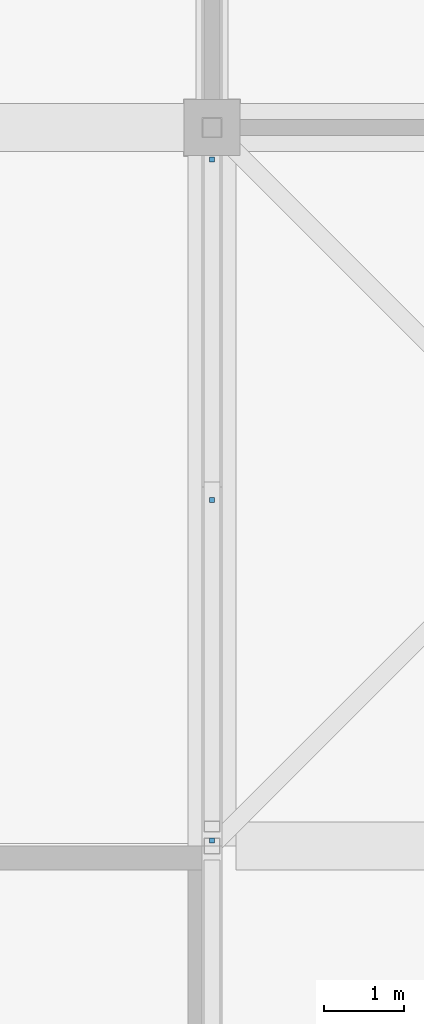
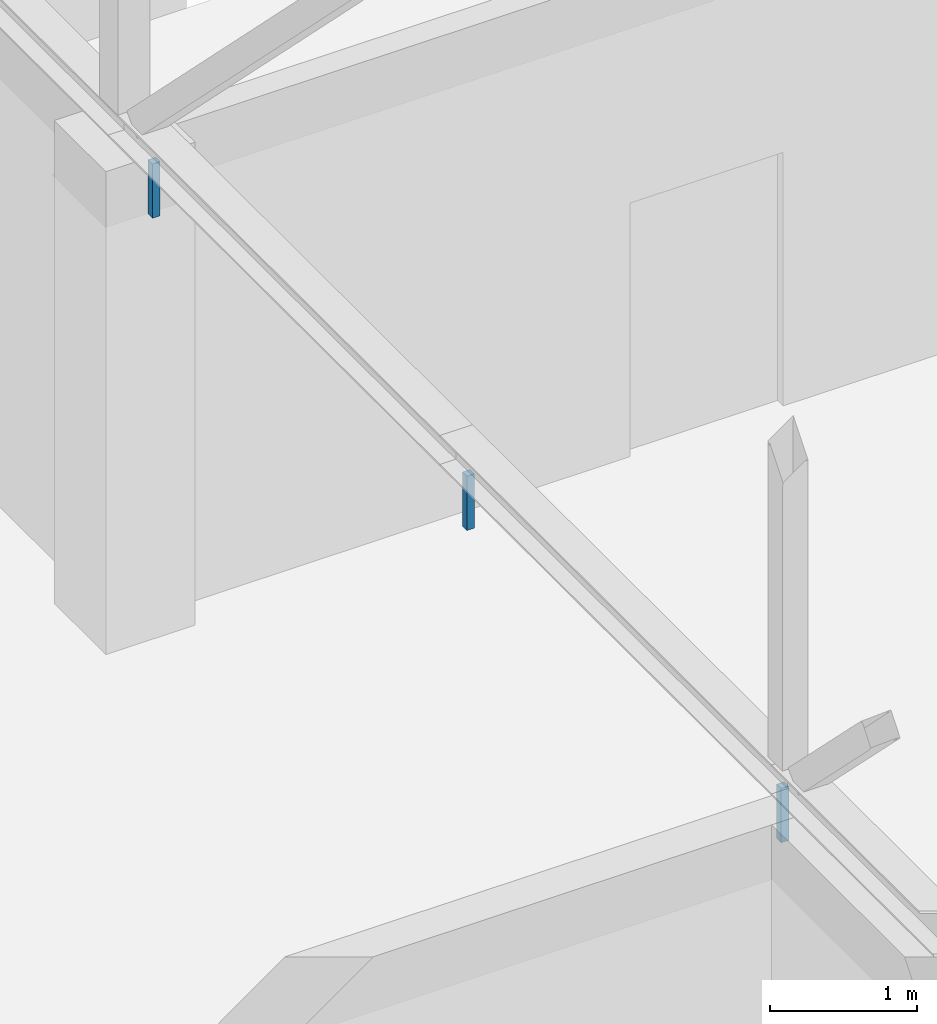
# One storey, part 187 of 646: 3 discrete accessories.
"""IFC4 building model written with IfcOpenShell, lengths in metres."""

from ifc_helpers import new_model, si_unit, direction, frame, origin, origin_2d, place, context, subcontext, project, spatial, rectangle, extrude, material, type_object, element, save


model = new_model("IFC4")

# Units and contexts
model_context = context("Model", 3, precision=1e-05, world=origin(), true_north=direction((0.0, 1.0)))
body_context = subcontext(model_context, "Body", "Model", "MODEL_VIEW")
ifc_project = project(units=[si_unit("LENGTHUNIT", "METRE"), si_unit("AREAUNIT", "SQUARE_METRE"), si_unit("VOLUMEUNIT", "CUBIC_METRE"), si_unit("PLANEANGLEUNIT", "RADIAN"), si_unit("MASSUNIT", "GRAM", prefix="KILO")], contexts=[model_context])

# Site, building, storey
site_placement = place(None, origin())
site = spatial("IfcSite", under=ifc_project, at=site_placement, CompositionType="ELEMENT")
building_placement = place(site_placement, origin())
building = spatial("IfcBuilding", under=site, at=building_placement, Name="Silverbay Arena", CompositionType="ELEMENT")
storey_placement = place(building_placement, frame((0.0, 0.0, 33.5)))
storey = spatial("IfcBuildingStorey", under=building, at=storey_placement, Name="L05", CompositionType="ELEMENT", Elevation=33.5)

# Discrete accessories
ifc_material = material(Name="Steel S355", Category="steel")
discrete_accessory_type = type_object("IfcDiscreteAccessoryType", Name="Ceiling hanger", PredefinedType="BRACKET", material=ifc_material)
for number, where, z_axis, x_axis, name in (
    (1, (90.0, 45.070068359375, 3.5498046875), (0.0, 0.0, 1.0), (1.0, 0.0, 0.0), "Ceiling hanger"),
    (2, (90.0, 49.3349609375, 3.5498046875), (0.0, 0.0, 1.0), (1.0, 0.0, 0.0), "Ceiling hanger"),
    (3, (90.0, 53.60009765625, 3.5498046875), (0.0, 0.0, 1.0), (1.0, 0.0, 0.0), "Ceiling hanger"),
):
    element("IfcDiscreteAccessory", number, at=place(storey_placement, frame(where, z_axis=z_axis, x_axis=x_axis)), inside=storey, type_object=discrete_accessory_type, Name=name, PredefinedType="BRACKET", context=body_context, shape_type="SweptSolid", body=[
        extrude(rectangle(XDim=0.06005859375, YDim=0.06005859375, at=origin_2d()), origin(), (0.0, 0.0, 1.0), 0.449951171875),
    ])

save(model, "model.ifc")
